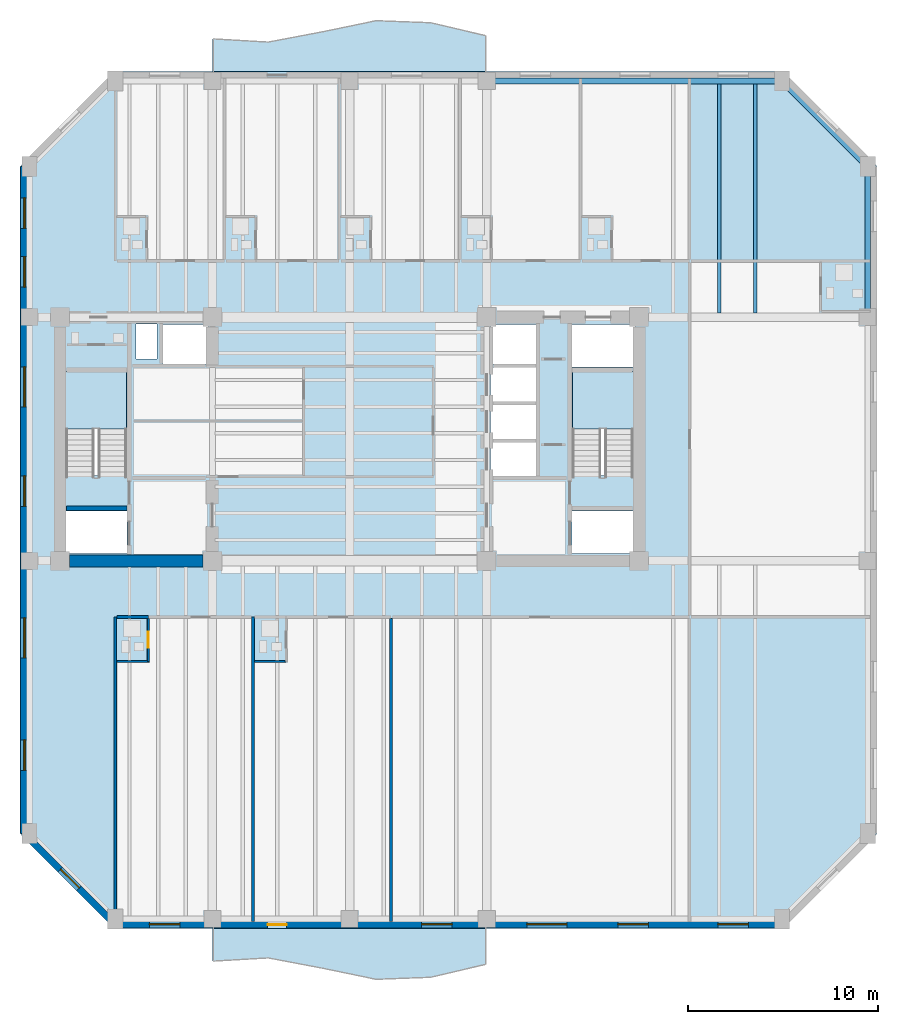
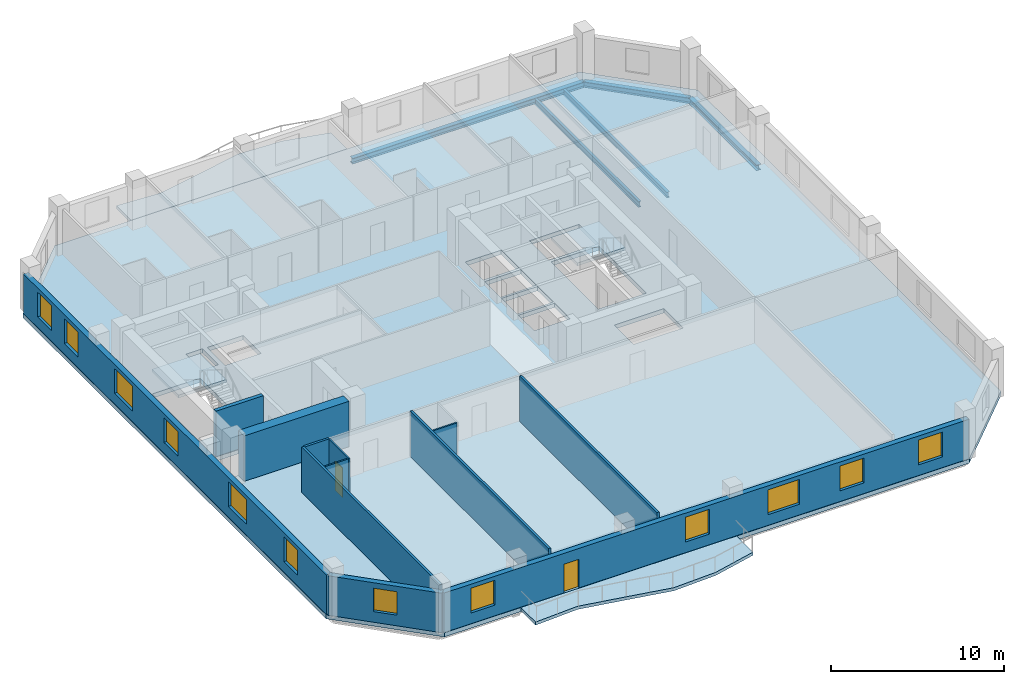
# One storey, part 2 of 10: 12 walls, 12 windows, 5 beams, 5 slabs, 2 doors, 14 openings, 2 elements without a shape of their own.
"""IFC4 building model written with IfcOpenShell, lengths in metres."""

from ifc_helpers import new_model, si_unit, direction, frame, frame_2d, origin, origin_2d, place, context, subcontext, project, spatial, polyline, rectangle, i_section, outline, extrude, material, layer, layer_set, material_profile, profile_set, type_object, element, fill, aggregate, save


model = new_model("IFC4")

# Units and contexts
model_context = context("Model", 3, precision=1e-05, world=origin(), true_north=direction((0.0, 1.0)))
body_context = subcontext(model_context, "Body", "Model", "MODEL_VIEW")
ifc_project = project(units=[si_unit("LENGTHUNIT", "METRE"), si_unit("AREAUNIT", "SQUARE_METRE"), si_unit("VOLUMEUNIT", "CUBIC_METRE"), si_unit("PLANEANGLEUNIT", "RADIAN"), si_unit("MASSUNIT", "GRAM", prefix="KILO")], contexts=[model_context])

# Site, building, storey
site_placement = place(None, origin())
site = spatial("IfcSite", under=ifc_project, at=site_placement, CompositionType="ELEMENT")
building_placement = place(site_placement, origin())
building = spatial("IfcBuilding", under=site, at=building_placement, Name="Kranthara Brick Stack", CompositionType="ELEMENT")
storey_placement = place(building_placement, frame((0.0, 0.0, 144.800048828125)))
storey = spatial("IfcBuildingStorey", under=building, at=storey_placement, Name="L36", CompositionType="ELEMENT", Elevation=144.800048828125)

# Beams
ifc_material_1 = material(Name="Steel S355", Category="steel")
ifc_material_profile_1 = material_profile(ifc_material_1, i_section(OverallWidth=0.179931640625, OverallDepth=0.39990234375, WebThickness=0.008544921875, FlangeThickness=0.013427734375, at=origin_2d()), Name="IPE 400")
ifc_profile_set_1 = profile_set([ifc_material_profile_1], Name="Steel S355")
beam_type_1 = type_object("IfcBeamType", Name="BM-JST-IPE400", PredefinedType="JOIST", material=ifc_profile_set_1)
for number, where, z_axis, x_axis, name in (
    (1, (47.39990234375, 33.824951171875, -0.5), (0.0, 1.0, 0.0), (-1.0, 0.0, 0.0), "L36 North Wing Floor Joist 073"),
    (2, (49.300048828125, 33.824951171875, -0.5), (0.0, 1.0, 0.0), (-1.0, 0.0, 0.0), "L36 North Wing Floor Joist 075"),
):
    element("IfcBeam", number, at=place(storey_placement, frame(where, z_axis=z_axis, x_axis=x_axis)), inside=storey, type_object=beam_type_1, Name=name, PredefinedType="JOIST", context=body_context, shape_type="SweptSolid", body=[
        extrude(i_section(OverallWidth=0.179931640625, OverallDepth=0.39990234375, WebThickness=0.008544921875, FlangeThickness=0.013427734375, at=origin_2d()), origin(), (0.0, 0.0, 1.0), 12.025146484375),
    ])
ifc_material_2 = material(Name="Steel S355", Category="steel")
ifc_material_profile_2 = material_profile(ifc_material_2, i_section(OverallWidth=0.300048828125, OverallDepth=0.39990234375, WebThickness=0.013427734375, FlangeThickness=0.02392578125, at=origin_2d()), Name="HEB 400")
ifc_profile_set_2 = profile_set([ifc_material_profile_2], Name="Steel S355")
beam_type_2 = type_object("IfcBeamType", Name="BM-STL-HEB400", PredefinedType="SPANDREL", material=ifc_profile_set_2)
beam_1_placement = place(storey_placement, frame((35.199951171875, 46.0, -0.5), z_axis=(1.0, 0.0, 0.0), x_axis=(0.0, 1.0, 0.0)))
element("IfcBeam", 3, at=beam_1_placement, inside=storey, type_object=beam_type_2, Name="L36 Perimeter Spandrel Beam 012", PredefinedType="SPANDREL", context=body_context, shape_type="SweptSolid", body=[
    extrude(i_section(OverallWidth=0.300048828125, OverallDepth=0.39990234375, WebThickness=0.013427734375, FlangeThickness=0.02392578125, at=origin_2d()), origin(), (0.0, 0.0, 1.0), 15.5),
])
beam_2_placement = place(storey_placement, frame((55.199951171875, 33.60009765625, -0.5), z_axis=(0.0, 1.0, 0.0), x_axis=(-1.0, 0.0, 0.0)))
element("IfcBeam", 4, at=beam_2_placement, inside=storey, type_object=beam_type_2, Name="L36 Perimeter Spandrel Beam 018", PredefinedType="SPANDREL", context=body_context, shape_type="SweptSolid", body=[
    extrude(i_section(OverallWidth=0.300048828125, OverallDepth=0.39990234375, WebThickness=0.013427734375, FlangeThickness=0.02392578125, at=origin_2d()), origin(), (0.0, 0.0, 1.0), 7.89990234375),
])
beam_3_placement = place(storey_placement, frame((50.699951171875, 46.0, -0.5), z_axis=(0.707106781187, -0.707106781187, 0.0), x_axis=(0.707106781187, 0.707106781187, 0.0)))
element("IfcBeam", 5, at=beam_3_placement, inside=storey, type_object=beam_type_2, Name="L36 Chamfer Corner Spandrel 022", PredefinedType="SPANDREL", context=body_context, shape_type="SweptSolid", body=[
    extrude(i_section(OverallWidth=0.300048828125, OverallDepth=0.39990234375, WebThickness=0.013427734375, FlangeThickness=0.02392578125, at=origin_2d()), origin(), (0.0, 0.0, 1.0), 6.364013671875),
])

# Slabs
ifc_material_3 = material(Name="Concrete C45/55", Category="concrete")
ifc_layer_1 = layer(ifc_material_3, 0.219970703125)
ifc_layer_set_1 = layer_set([ifc_layer_1], Name="Concrete C45/55")
slab_type_1 = type_object("IfcSlabType", Name="SLB-BALC-220", PredefinedType="FLOOR", material=ifc_layer_set_1)
slab_1_placement = place(storey_placement, frame((0.0, 0.0, -0.219970703125)))
element("IfcSlab", 6, at=slab_1_placement, inside=storey, type_object=slab_type_1, Name="L36 South Rippling Balcony Slab", PredefinedType="FLOOR", context=body_context, shape_type="SweptSolid", body=[
    extrude(outline(polyline([(20.800048828125, 1.5), (35.199951171875, 1.5), (35.199951171875, -0.38037109375), (32.320068359375, -1.068115234375), (29.43994140625, -1.19873046875), (26.56005859375, -0.607666015625), (23.679931640625, -0.03857421875), (20.800048828125, -0.206787109375), (20.800048828125, 1.5)])), origin(), (0.0, 0.0, 1.0), 0.219970703125),
])
slab_2_placement = place(storey_placement, frame((0.0, 0.0, -0.219970703125)))
element("IfcSlab", 7, at=slab_2_placement, inside=storey, type_object=slab_type_1, Name="L36 North Rippling Balcony Slab", PredefinedType="FLOOR", context=body_context, shape_type="SweptSolid", body=[
    extrude(outline(polyline([(35.199951171875, 46.5), (20.800048828125, 46.5), (20.800048828125, 48.206787109375), (23.679931640625, 48.03857421875), (26.56005859375, 48.607666015625), (29.43994140625, 49.19873046875), (32.320068359375, 49.068115234375), (35.199951171875, 48.38037109375), (35.199951171875, 46.5)])), origin(), (0.0, 0.0, 1.0), 0.219970703125),
])

# Stair, slab
ifc_material_4 = material(Name="Concrete C45/55", Category="concrete")
stair_type = type_object("IfcStairType", Name="ST-CORE-20R", PredefinedType="HALF_TURN_STAIR", material=ifc_material_4)
stair_1_placement = place(storey_placement, origin())
stair_1 = element("IfcStair", 8, at=stair_1_placement, inside=storey, type_object=stair_type, Name="L36 West Core Protected Exit Stair ST01", PredefinedType="HALF_TURN_STAIR")
ifc_material_5 = material(Name="Concrete C45/55", Category="concrete")
ifc_layer_2 = layer(ifc_material_5, 0.199951171875)
ifc_layer_set_2 = layer_set([ifc_layer_2], Name="Concrete C45/55")
slab_type_2 = type_object("IfcSlabType", Name="SLB-LANDING-200", PredefinedType="LANDING", material=ifc_layer_set_2)
slab_3_placement = place(storey_placement, frame((0.0, 0.0, 1.550048828125)))
slab_3 = element("IfcSlab", 9, at=slab_3_placement, type_object=slab_type_2, Name="ST01 landing 1", PredefinedType="LANDING", context=body_context, shape_type="SweptSolid", body=[
    extrude(outline(polyline([(16.300048828125, 27.719970703125), (16.300048828125, 30.75), (13.10009765625, 30.75), (13.10009765625, 27.719970703125), (16.300048828125, 27.719970703125)])), origin(), (0.0, 0.0, 1.0), 0.199951171875),
])
aggregate(stair_1, [slab_3])

stair_2_placement = place(storey_placement, origin())
stair_2 = element("IfcStair", 10, at=stair_2_placement, inside=storey, type_object=stair_type, Name="L36 East Core Protected Exit Stair ST02", PredefinedType="HALF_TURN_STAIR")
slab_4_placement = place(storey_placement, frame((0.0, 0.0, 1.550048828125)))
slab_4 = element("IfcSlab", 11, at=slab_4_placement, type_object=slab_type_2, Name="ST02 landing 1", PredefinedType="LANDING", context=body_context, shape_type="SweptSolid", body=[
    extrude(outline(polyline([(42.89990234375, 27.719970703125), (42.89990234375, 30.75), (39.699951171875, 30.75), (39.699951171875, 27.719970703125), (42.89990234375, 27.719970703125)])), origin(), (0.0, 0.0, 1.0), 0.199951171875),
])
aggregate(stair_2, [slab_4])

# Slab
ifc_material_6 = material(Name="Post-tensioned concrete C45/55", Category="concrete")
ifc_layer_3 = layer(ifc_material_6, 0.300048828125)
ifc_layer_set_3 = layer_set([ifc_layer_3], Name="Post-tensioned concrete C45/55")
slab_type_3 = type_object("IfcSlabType", Name="SLB-TWR-300", PredefinedType="FLOOR", material=ifc_layer_set_3)
slab_5_placement = place(storey_placement, frame((0.0, 0.0, -0.300048828125)))
element("IfcSlab", 12, at=slab_5_placement, inside=storey, type_object=slab_type_3, Name="L36 Structural Floor Plate", PredefinedType="FLOOR", context=body_context, shape_type="SweptSolid", body=[
    extrude(outline(polyline([(15.699951171875, 1.5), (50.699951171875, 1.5), (55.699951171875, 6.5), (55.699951171875, 41.5), (50.699951171875, 46.5), (15.699951171875, 46.5), (10.699951171875, 41.5), (10.699951171875, 6.5), (15.699951171875, 1.5)]), holes=[polyline([(13.10009765625, 25.280029296875), (16.300048828125, 25.280029296875), (16.300048828125, 30.75), (13.10009765625, 30.75), (13.10009765625, 25.280029296875)]), polyline([(39.699951171875, 25.280029296875), (42.89990234375, 25.280029296875), (42.89990234375, 30.75), (39.699951171875, 30.75), (39.699951171875, 25.280029296875)]), polyline([(13.0, 21.179931640625), (16.320068359375, 21.179931640625), (16.320068359375, 23.419921875), (13.0, 23.419921875), (13.0, 21.179931640625)]), polyline([(39.679931640625, 21.179931640625), (43.0, 21.179931640625), (43.0, 23.419921875), (39.679931640625, 23.419921875), (39.679931640625, 21.179931640625)]), polyline([(39.679931640625, 30.97998046875), (43.0, 30.97998046875), (43.0, 33.219970703125), (39.679931640625, 33.219970703125), (39.679931640625, 30.97998046875)]), polyline([(35.39990234375, 25.25), (37.800048828125, 25.25), (37.800048828125, 27.050048828125), (35.39990234375, 27.050048828125), (35.39990234375, 25.25)]), polyline([(35.39990234375, 27.199951171875), (37.800048828125, 27.199951171875), (37.800048828125, 29.0), (35.39990234375, 29.0), (35.39990234375, 27.199951171875)]), polyline([(35.39990234375, 29.14990234375), (37.800048828125, 29.14990234375), (37.800048828125, 30.949951171875), (35.39990234375, 30.949951171875), (35.39990234375, 29.14990234375)]), polyline([(18.199951171875, 31.14990234375), (20.60009765625, 31.14990234375), (20.60009765625, 33.219970703125), (18.199951171875, 33.219970703125), (18.199951171875, 31.14990234375)]), polyline([(35.39990234375, 31.14990234375), (37.800048828125, 31.14990234375), (37.800048828125, 33.219970703125), (35.39990234375, 33.219970703125), (35.39990234375, 31.14990234375)]), polyline([(16.800048828125, 31.39990234375), (17.89990234375, 31.39990234375), (17.89990234375, 33.25), (16.800048828125, 33.25), (16.800048828125, 31.39990234375)])]), origin(), (0.0, 0.0, 1.0), 0.300048828125),
])

# Wall, openings, door, windows
ifc_material_7 = material(Name="Kiln-fired clay brick masonry M15", Category="masonry")
ifc_layer_4 = layer(ifc_material_7, 0.35009765625)
ifc_layer_set_4 = layer_set([ifc_layer_4], Name="Kiln-fired clay brick masonry M15")
wall_type_1 = type_object("IfcWallType", Name="WL-BRK-SPND-350", PredefinedType="STANDARD", material=ifc_layer_set_4)
wall_1_placement = place(storey_placement, frame((50.699951171875, 1.695068359375, 0.0), z_axis=(0.0, 0.0, 1.0), x_axis=(-1.0, 0.0, 0.0)))
wall_1 = element("IfcWall", 13, at=wall_1_placement, inside=storey, type_object=wall_type_1, Name="L36 Exterior Brick Facade Wall SOUTH 1", PredefinedType="STANDARD", context=body_context, shape_type="SweptSolid", body=[
    extrude(rectangle(XDim=35.0, YDim=0.35009765625, at=frame_2d((17.5, 0.0))), origin(), (0.0, 0.0, 1.0), 2.784912109375),
])
opening_1_placement = place(wall_1_placement, frame((26.0, 0.0, 0.0)))
opening_1 = element("IfcOpeningElement", 14, at=opening_1_placement, cuts=wall_1, Name="Opening D03", PredefinedType="OPENING", context=body_context, shape_type="SweptSolid", body=[
    extrude(rectangle(XDim=1.0, YDim=2.02001953125, at=frame_2d((0.5, 1.010009765625))), frame((0.0, 0.18505859375, 0.0), z_axis=(0.0, -1.0, 0.0), x_axis=(1.0, 0.0, 0.0)), (0.0, 0.0, 1.0), 0.3701171875),
])
opening_2_placement = place(wall_1_placement, frame((1.762939453125, 0.0, 0.75)))
opening_2 = element("IfcOpeningElement", 15, at=opening_2_placement, cuts=wall_1, Name="Opening WN04", PredefinedType="OPENING", context=body_context, shape_type="SweptSolid", body=[
    extrude(rectangle(XDim=1.60009765625, YDim=1.75, at=frame_2d((0.800048828125, 0.875))), frame((0.0, 0.18505859375, 0.0), z_axis=(0.0, -1.0, 0.0), x_axis=(1.0, 0.0, 0.0)), (0.0, 0.0, 1.0), 0.3701171875),
])
opening_3_placement = place(wall_1_placement, frame((7.007080078125, 0.0, 0.75)))
opening_3 = element("IfcOpeningElement", 16, at=opening_3_placement, cuts=wall_1, Name="Opening WN04", PredefinedType="OPENING", context=body_context, shape_type="SweptSolid", body=[
    extrude(rectangle(XDim=1.60009765625, YDim=1.75, at=frame_2d((0.800048828125, 0.875))), frame((0.0, 0.18505859375, 0.0), z_axis=(0.0, -1.0, 0.0), x_axis=(1.0, 0.0, 0.0)), (0.0, 0.0, 1.0), 0.3701171875),
])
opening_4_placement = place(wall_1_placement, frame((11.29296875, 0.0, 0.75)))
opening_4 = element("IfcOpeningElement", 17, at=opening_4_placement, cuts=wall_1, Name="Opening WN05", PredefinedType="OPENING", context=body_context, shape_type="SweptSolid", body=[
    extrude(rectangle(XDim=2.10009765625, YDim=1.75, at=frame_2d((1.050048828125, 0.875))), frame((0.0, 0.18505859375, 0.0), z_axis=(0.0, -1.0, 0.0), x_axis=(1.0, 0.0, 0.0)), (0.0, 0.0, 1.0), 0.3701171875),
])
opening_5_placement = place(wall_1_placement, frame((17.31396484375, 0.0, 0.75)))
opening_5 = element("IfcOpeningElement", 18, at=opening_5_placement, cuts=wall_1, Name="Opening WN04", PredefinedType="OPENING", context=body_context, shape_type="SweptSolid", body=[
    extrude(rectangle(XDim=1.60009765625, YDim=1.75, at=frame_2d((0.800048828125, 0.875))), frame((0.0, 0.18505859375, 0.0), z_axis=(0.0, -1.0, 0.0), x_axis=(1.0, 0.0, 0.0)), (0.0, 0.0, 1.0), 0.3701171875),
])
opening_6_placement = place(wall_1_placement, frame((31.613037109375, 0.0, 0.75)))
opening_6 = element("IfcOpeningElement", 19, at=opening_6_placement, cuts=wall_1, Name="Opening WN04", PredefinedType="OPENING", context=body_context, shape_type="SweptSolid", body=[
    extrude(rectangle(XDim=1.60009765625, YDim=1.75, at=frame_2d((0.800048828125, 0.875))), frame((0.0, 0.18505859375, 0.0), z_axis=(0.0, -1.0, 0.0), x_axis=(1.0, 0.0, 0.0)), (0.0, 0.0, 1.0), 0.3701171875),
])
ifc_material_8 = material(Name="Bronze anodised aluminium and laminated glass", Category="aluminium")
door_type_1 = type_object("IfcDoorType", Name="DR-BALC-1000", OperationType="NOTDEFINED", PredefinedType="DOOR", material=ifc_material_8)
door_1_placement = place(opening_1_placement, origin())
door_1 = element("IfcDoor", 20, at=door_1_placement, inside=storey, type_object=door_type_1, Name="L36 South Balcony Terrace Door", OperationType="SINGLE_SWING_LEFT", OverallHeight=2.02001953125, OverallWidth=1.0, PredefinedType="DOOR", context=body_context, shape_type="SweptSolid", body=[
    extrude(rectangle(XDim=1.0, YDim=2.02001953125, at=frame_2d((0.5, 1.010009765625))), frame((0.0, 0.02490234375, 0.0), z_axis=(0.0, -1.0, 0.0), x_axis=(1.0, 0.0, 0.0)), (0.0, 0.0, 1.0), 0.050048828125),
])
fill(opening_1, door_1)
ifc_material_9 = material(Name="Double-glazed low-E solar control glass", Category="glass")
window_type_1 = type_object("IfcWindowType", Name="WN-HTL-1600x1850", PartitioningType="DOUBLE_PANEL_VERTICAL", PredefinedType="WINDOW", material=ifc_material_9)
window_1_placement = place(opening_2_placement, origin())
window_1 = element("IfcWindow", 21, at=window_1_placement, inside=storey, type_object=window_type_1, Name="L36 South Deep-Set Brick Window 01", OverallHeight=1.75, OverallWidth=1.60009765625, PartitioningType="SINGLE_PANEL", PredefinedType="WINDOW", context=body_context, shape_type="SweptSolid", body=[
    extrude(rectangle(XDim=1.60009765625, YDim=1.75, at=frame_2d((0.800048828125, 0.875))), frame((0.0, -0.010009765625, 0.0), z_axis=(0.0, -1.0, 0.0), x_axis=(1.0, 0.0, 0.0)), (0.0, 0.0, 1.0), 0.06005859375),
])
fill(opening_2, window_1)
window_2_placement = place(opening_3_placement, origin())
window_2 = element("IfcWindow", 22, at=window_2_placement, inside=storey, type_object=window_type_1, Name="L36 South Deep-Set Brick Window 02", OverallHeight=1.75, OverallWidth=1.60009765625, PartitioningType="SINGLE_PANEL", PredefinedType="WINDOW", context=body_context, shape_type="SweptSolid", body=[
    extrude(rectangle(XDim=1.60009765625, YDim=1.75, at=frame_2d((0.800048828125, 0.875))), frame((0.0, -0.010009765625, 0.0), z_axis=(0.0, -1.0, 0.0), x_axis=(1.0, 0.0, 0.0)), (0.0, 0.0, 1.0), 0.06005859375),
])
fill(opening_3, window_2)
window_3_placement = place(opening_5_placement, origin())
window_3 = element("IfcWindow", 23, at=window_3_placement, inside=storey, type_object=window_type_1, Name="L36 South Deep-Set Brick Window 04", OverallHeight=1.75, OverallWidth=1.60009765625, PartitioningType="SINGLE_PANEL", PredefinedType="WINDOW", context=body_context, shape_type="SweptSolid", body=[
    extrude(rectangle(XDim=1.60009765625, YDim=1.75, at=frame_2d((0.800048828125, 0.875))), frame((0.0, -0.010009765625, 0.0), z_axis=(0.0, -1.0, 0.0), x_axis=(1.0, 0.0, 0.0)), (0.0, 0.0, 1.0), 0.06005859375),
])
fill(opening_5, window_3)
window_4_placement = place(opening_6_placement, origin())
window_4 = element("IfcWindow", 24, at=window_4_placement, inside=storey, type_object=window_type_1, Name="L36 South Deep-Set Brick Window 05", OverallHeight=1.75, OverallWidth=1.60009765625, PartitioningType="SINGLE_PANEL", PredefinedType="WINDOW", context=body_context, shape_type="SweptSolid", body=[
    extrude(rectangle(XDim=1.60009765625, YDim=1.75, at=frame_2d((0.800048828125, 0.875))), frame((0.0, -0.010009765625, 0.0), z_axis=(0.0, -1.0, 0.0), x_axis=(1.0, 0.0, 0.0)), (0.0, 0.0, 1.0), 0.06005859375),
])
fill(opening_6, window_4)
ifc_material_10 = material(Name="Double-glazed low-E solar control glass", Category="glass")
window_type_2 = type_object("IfcWindowType", Name="WN-HTL-2100x1850", PartitioningType="DOUBLE_PANEL_VERTICAL", PredefinedType="WINDOW", material=ifc_material_10)
window_5_placement = place(opening_4_placement, origin())
window_5 = element("IfcWindow", 25, at=window_5_placement, inside=storey, type_object=window_type_2, Name="L36 South Deep-Set Brick Window 03", OverallHeight=1.75, OverallWidth=2.10009765625, PartitioningType="SINGLE_PANEL", PredefinedType="WINDOW", context=body_context, shape_type="SweptSolid", body=[
    extrude(rectangle(XDim=2.10009765625, YDim=1.75, at=frame_2d((1.050048828125, 0.875))), frame((0.0, -0.010009765625, 0.0), z_axis=(0.0, -1.0, 0.0), x_axis=(1.0, 0.0, 0.0)), (0.0, 0.0, 1.0), 0.06005859375),
])
fill(opening_4, window_5)

# Wall, opening, window
wall_2_placement = place(storey_placement, frame((15.699951171875, 1.695068359375, 0.0), z_axis=(0.0, 0.0, 1.0), x_axis=(-0.707106781187, 0.707106781187, 0.0)))
wall_2 = element("IfcWall", 26, at=wall_2_placement, inside=storey, type_object=wall_type_1, Name="L36 Exterior Brick Facade Wall SW 1", PredefinedType="STANDARD", context=body_context, shape_type="SweptSolid", body=[
    extrude(rectangle(XDim=6.795166015625, YDim=0.35009765625, at=frame_2d((3.3974609375, 0.0))), origin(), (0.0, 0.0, 1.0), 2.784912109375),
])
opening_7_placement = place(wall_2_placement, frame((2.697998046875, 0.0, 0.75)))
opening_7 = element("IfcOpeningElement", 27, at=opening_7_placement, cuts=wall_2, Name="Opening WN10", PredefinedType="OPENING", context=body_context, shape_type="SweptSolid", body=[
    extrude(rectangle(XDim=1.39990234375, YDim=1.64990234375, at=frame_2d((0.699951171875, 0.824951171875))), frame((0.0, 0.18505859375, 0.0), z_axis=(0.0, -1.0, 0.0), x_axis=(1.0, 0.0, 0.0)), (0.0, 0.0, 1.0), 0.3701171875),
])
ifc_material_11 = material(Name="Double-glazed low-E solar control glass", Category="glass")
window_type_3 = type_object("IfcWindowType", Name="WN-CHM-1400x1750", PartitioningType="SINGLE_PANEL", PredefinedType="WINDOW", material=ifc_material_11)
window_6_placement = place(opening_7_placement, origin())
window_6 = element("IfcWindow", 28, at=window_6_placement, inside=storey, type_object=window_type_3, Name="L36 SW Chamfer Corner Window", OverallHeight=1.64990234375, OverallWidth=1.39990234375, PartitioningType="SINGLE_PANEL", PredefinedType="WINDOW", context=body_context, shape_type="SweptSolid", body=[
    extrude(rectangle(XDim=1.39990234375, YDim=1.64990234375, at=frame_2d((0.699951171875, 0.824951171875))), frame((0.0, -0.010009765625, 0.0), z_axis=(0.0, -1.0, 0.0), x_axis=(1.0, 0.0, 0.0)), (0.0, 0.0, 1.0), 0.06005859375),
])
fill(opening_7, window_6)

# Wall, openings, windows
wall_3_placement = place(storey_placement, frame((10.89501953125, 6.5, 0.0), z_axis=(0.0, 0.0, 1.0), x_axis=(0.0, 1.0, 0.0)))
wall_3 = element("IfcWall", 29, at=wall_3_placement, inside=storey, type_object=wall_type_1, Name="L36 Exterior Brick Facade Wall WEST 1", PredefinedType="STANDARD", context=body_context, shape_type="SweptSolid", body=[
    extrude(rectangle(XDim=35.0, YDim=0.35009765625, at=frame_2d((17.5, 0.0))), origin(), (0.0, 0.0, 1.0), 2.784912109375),
])
opening_8_placement = place(wall_3_placement, frame((3.31005859375, 0.0, 0.75)))
opening_8 = element("IfcOpeningElement", 30, at=opening_8_placement, cuts=wall_3, Name="Opening WN04", PredefinedType="OPENING", context=body_context, shape_type="SweptSolid", body=[
    extrude(rectangle(XDim=1.60009765625, YDim=1.75, at=frame_2d((0.800048828125, 0.875))), frame((0.0, 0.18505859375, 0.0), z_axis=(0.0, -1.0, 0.0), x_axis=(1.0, 0.0, 0.0)), (0.0, 0.0, 1.0), 0.3701171875),
])
opening_9_placement = place(wall_3_placement, frame((9.216064453125, 0.0, 0.75)))
opening_9 = element("IfcOpeningElement", 31, at=opening_9_placement, cuts=wall_3, Name="Opening WN05", PredefinedType="OPENING", context=body_context, shape_type="SweptSolid", body=[
    extrude(rectangle(XDim=2.10009765625, YDim=1.75, at=frame_2d((1.050048828125, 0.875))), frame((0.0, 0.18505859375, 0.0), z_axis=(0.0, -1.0, 0.0), x_axis=(1.0, 0.0, 0.0)), (0.0, 0.0, 1.0), 0.3701171875),
])
opening_10_placement = place(wall_3_placement, frame((17.1640625, 0.0, 0.75)))
opening_10 = element("IfcOpeningElement", 32, at=opening_10_placement, cuts=wall_3, Name="Opening WN04", PredefinedType="OPENING", context=body_context, shape_type="SweptSolid", body=[
    extrude(rectangle(XDim=1.60009765625, YDim=1.75, at=frame_2d((0.800048828125, 0.875))), frame((0.0, 0.18505859375, 0.0), z_axis=(0.0, -1.0, 0.0), x_axis=(1.0, 0.0, 0.0)), (0.0, 0.0, 1.0), 0.3701171875),
])
opening_11_placement = place(wall_3_placement, frame((22.385986328125, 0.0, 0.75)))
opening_11 = element("IfcOpeningElement", 33, at=opening_11_placement, cuts=wall_3, Name="Opening WN05", PredefinedType="OPENING", context=body_context, shape_type="SweptSolid", body=[
    extrude(rectangle(XDim=2.10009765625, YDim=1.75, at=frame_2d((1.050048828125, 0.875))), frame((0.0, 0.18505859375, 0.0), z_axis=(0.0, -1.0, 0.0), x_axis=(1.0, 0.0, 0.0)), (0.0, 0.0, 1.0), 0.3701171875),
])
opening_12_placement = place(wall_3_placement, frame((28.6708984375, 0.0, 0.75)))
opening_12 = element("IfcOpeningElement", 34, at=opening_12_placement, cuts=wall_3, Name="Opening WN04", PredefinedType="OPENING", context=body_context, shape_type="SweptSolid", body=[
    extrude(rectangle(XDim=1.60009765625, YDim=1.75, at=frame_2d((0.800048828125, 0.875))), frame((0.0, 0.18505859375, 0.0), z_axis=(0.0, -1.0, 0.0), x_axis=(1.0, 0.0, 0.0)), (0.0, 0.0, 1.0), 0.3701171875),
])
opening_13_placement = place(wall_3_placement, frame((31.7548828125, 0.0, 0.75)))
opening_13 = element("IfcOpeningElement", 35, at=opening_13_placement, cuts=wall_3, Name="Opening WN04", PredefinedType="OPENING", context=body_context, shape_type="SweptSolid", body=[
    extrude(rectangle(XDim=1.60009765625, YDim=1.75, at=frame_2d((0.800048828125, 0.875))), frame((0.0, 0.18505859375, 0.0), z_axis=(0.0, -1.0, 0.0), x_axis=(1.0, 0.0, 0.0)), (0.0, 0.0, 1.0), 0.3701171875),
])
window_7_placement = place(opening_8_placement, origin())
window_7 = element("IfcWindow", 36, at=window_7_placement, inside=storey, type_object=window_type_1, Name="L36 West Deep-Set Brick Window 01", OverallHeight=1.75, OverallWidth=1.60009765625, PartitioningType="SINGLE_PANEL", PredefinedType="WINDOW", context=body_context, shape_type="SweptSolid", body=[
    extrude(rectangle(XDim=1.60009765625, YDim=1.75, at=frame_2d((0.800048828125, 0.875))), frame((0.0, -0.010009765625, 0.0), z_axis=(0.0, -1.0, 0.0), x_axis=(1.0, 0.0, 0.0)), (0.0, 0.0, 1.0), 0.06005859375),
])
fill(opening_8, window_7)
window_8_placement = place(opening_10_placement, origin())
window_8 = element("IfcWindow", 37, at=window_8_placement, inside=storey, type_object=window_type_1, Name="L36 West Deep-Set Brick Window 03", OverallHeight=1.75, OverallWidth=1.60009765625, PartitioningType="SINGLE_PANEL", PredefinedType="WINDOW", context=body_context, shape_type="SweptSolid", body=[
    extrude(rectangle(XDim=1.60009765625, YDim=1.75, at=frame_2d((0.800048828125, 0.875))), frame((0.0, -0.010009765625, 0.0), z_axis=(0.0, -1.0, 0.0), x_axis=(1.0, 0.0, 0.0)), (0.0, 0.0, 1.0), 0.06005859375),
])
fill(opening_10, window_8)
window_9_placement = place(opening_12_placement, origin())
window_9 = element("IfcWindow", 38, at=window_9_placement, inside=storey, type_object=window_type_1, Name="L36 West Deep-Set Brick Window 05", OverallHeight=1.75, OverallWidth=1.60009765625, PartitioningType="SINGLE_PANEL", PredefinedType="WINDOW", context=body_context, shape_type="SweptSolid", body=[
    extrude(rectangle(XDim=1.60009765625, YDim=1.75, at=frame_2d((0.800048828125, 0.875))), frame((0.0, -0.010009765625, 0.0), z_axis=(0.0, -1.0, 0.0), x_axis=(1.0, 0.0, 0.0)), (0.0, 0.0, 1.0), 0.06005859375),
])
fill(opening_12, window_9)
window_10_placement = place(opening_13_placement, origin())
window_10 = element("IfcWindow", 39, at=window_10_placement, inside=storey, type_object=window_type_1, Name="L36 West Deep-Set Brick Window 06", OverallHeight=1.75, OverallWidth=1.60009765625, PartitioningType="SINGLE_PANEL", PredefinedType="WINDOW", context=body_context, shape_type="SweptSolid", body=[
    extrude(rectangle(XDim=1.60009765625, YDim=1.75, at=frame_2d((0.800048828125, 0.875))), frame((0.0, -0.010009765625, 0.0), z_axis=(0.0, -1.0, 0.0), x_axis=(1.0, 0.0, 0.0)), (0.0, 0.0, 1.0), 0.06005859375),
])
fill(opening_13, window_10)
window_11_placement = place(opening_9_placement, origin())
window_11 = element("IfcWindow", 40, at=window_11_placement, inside=storey, type_object=window_type_2, Name="L36 West Deep-Set Brick Window 02", OverallHeight=1.75, OverallWidth=2.10009765625, PartitioningType="SINGLE_PANEL", PredefinedType="WINDOW", context=body_context, shape_type="SweptSolid", body=[
    extrude(rectangle(XDim=2.10009765625, YDim=1.75, at=frame_2d((1.050048828125, 0.875))), frame((0.0, -0.010009765625, 0.0), z_axis=(0.0, -1.0, 0.0), x_axis=(1.0, 0.0, 0.0)), (0.0, 0.0, 1.0), 0.06005859375),
])
fill(opening_9, window_11)
window_12_placement = place(opening_11_placement, origin())
window_12 = element("IfcWindow", 41, at=window_12_placement, inside=storey, type_object=window_type_2, Name="L36 West Deep-Set Brick Window 04", OverallHeight=1.75, OverallWidth=2.10009765625, PartitioningType="SINGLE_PANEL", PredefinedType="WINDOW", context=body_context, shape_type="SweptSolid", body=[
    extrude(rectangle(XDim=2.10009765625, YDim=1.75, at=frame_2d((1.050048828125, 0.875))), frame((0.0, -0.010009765625, 0.0), z_axis=(0.0, -1.0, 0.0), x_axis=(1.0, 0.0, 0.0)), (0.0, 0.0, 1.0), 0.06005859375),
])
fill(opening_11, window_12)

# Walls
ifc_material_12 = material(Name="Concrete C50/60", Category="concrete")
ifc_layer_5 = layer(ifc_material_12, 0.25)
ifc_layer_set_5 = layer_set([ifc_layer_5], Name="Concrete C50/60")
wall_type_2 = type_object("IfcWallType", Name="WL-CORE-250", PredefinedType="SHEAR", material=ifc_layer_set_5)
wall_4_placement = place(storey_placement, frame((13.135009765625, 23.570068359375, 0.0), z_axis=(0.0, 0.0, 1.0), x_axis=(1.0, 0.0, 0.0)))
element("IfcWall", 42, at=wall_4_placement, inside=storey, type_object=wall_type_2, Name="L36 West Stairwell Bearing Wall WFF", PredefinedType="SHEAR", context=body_context, shape_type="SweptSolid", body=[
    extrude(rectangle(XDim=3.175048828125, YDim=0.25, at=frame_2d((1.58740234375, 0.0))), origin(), (0.0, 0.0, 1.0), 3.199951171875),
])
ifc_material_13 = material(Name="Concrete C60/75", Category="concrete")
ifc_layer_6 = layer(ifc_material_13, 0.64990234375)
ifc_layer_set_6 = layer_set([ifc_layer_6], Name="Concrete C60/75")
wall_type_3 = type_object("IfcWallType", Name="WL-CORE-650", PredefinedType="SHEAR", material=ifc_layer_set_6)
wall_5_placement = place(storey_placement, frame((13.304931640625, 20.800048828125, 0.0), z_axis=(0.0, 0.0, 1.0), x_axis=(1.0, 0.0, 0.0)))
element("IfcWall", 43, at=wall_5_placement, inside=storey, type_object=wall_type_3, Name="L36 West Core Shear Wall South", PredefinedType="SHEAR", context=body_context, shape_type="SweptSolid", body=[
    extrude(rectangle(XDim=6.989990234375, YDim=0.64990234375, at=frame_2d((3.4951171875, 0.0))), origin(), (0.0, 0.0, 1.0), 3.199951171875),
])

# Wall, opening, door
ifc_material_14 = material(Name="Moisture-resistant wet-room partition", Category="other")
ifc_layer_7 = layer(ifc_material_14, 0.10009765625)
ifc_layer_set_7 = layer_set([ifc_layer_7], Name="Moisture-resistant wet-room partition")
wall_type_4 = type_object("IfcWallType", Name="WL-PART-100", PredefinedType="PARTITIONING", material=ifc_layer_set_7)
wall_6_placement = place(storey_placement, frame((17.4365234375, 15.52001953125, 0.0), z_axis=(0.0, 0.0, 1.0), x_axis=(0.0, 1.0, 0.0)))
wall_6 = element("IfcWall", 44, at=wall_6_placement, inside=storey, type_object=wall_type_4, Name="L36 Interior Partition 013", PredefinedType="PARTITIONING", context=body_context, shape_type="SweptSolid", body=[
    extrude(rectangle(XDim=2.25, YDim=0.10009765625, at=frame_2d((1.125, 0.0))), origin(), (0.0, 0.0, 1.0), 3.199951171875),
])
opening_14_placement = place(wall_6_placement, frame((0.719970703125, 0.0, 0.0)))
opening_14 = element("IfcOpeningElement", 45, at=opening_14_placement, cuts=wall_6, Name="Opening D17", PredefinedType="OPENING", context=body_context, shape_type="SweptSolid", body=[
    extrude(rectangle(XDim=0.85009765625, YDim=2.050048828125, at=frame_2d((0.425048828125, 1.02490234375))), frame((0.0, 0.06005859375, 0.0), z_axis=(0.0, -1.0, 0.0), x_axis=(1.0, 0.0, 0.0)), (0.0, 0.0, 1.0), 0.1201171875),
])
ifc_material_15 = material(Name="Solid-core hardwood timber leaf in steel frame", Category="steel")
door_type_2 = type_object("IfcDoorType", Name="DR-WET-850", OperationType="NOTDEFINED", PredefinedType="DOOR", material=ifc_material_15)
door_2_placement = place(opening_14_placement, origin())
door_2 = element("IfcDoor", 46, at=door_2_placement, inside=storey, type_object=door_type_2, Name="L36 Key 01 En-Suite Door 07", OperationType="SINGLE_SWING_LEFT", OverallHeight=2.050048828125, OverallWidth=0.85009765625, PredefinedType="DOOR", context=body_context, shape_type="SweptSolid", body=[
    extrude(rectangle(XDim=0.85009765625, YDim=2.050048828125, at=frame_2d((0.425048828125, 1.02490234375))), frame((0.0, 0.02490234375, 0.0), z_axis=(0.0, -1.0, 0.0), x_axis=(1.0, 0.0, 0.0)), (0.0, 0.0, 1.0), 0.050048828125),
])
fill(opening_14, door_2)

# Walls
for number, where, z_axis, x_axis, name in (
    (47, (15.780029296875, 15.52001953125, 0.0), (0.0, 0.0, 1.0), (1.0, 0.0, 0.0), "L36 Interior Partition 014"),
    (48, (23.01611328125, 15.52001953125, 0.0), (0.0, 0.0, 1.0), (1.0, 0.0, 0.0), "L36 Interior Partition 018"),
):
    element("IfcWall", number, at=place(storey_placement, frame(where, z_axis=z_axis, x_axis=x_axis)), inside=storey, type_object=wall_type_4, Name=name, PredefinedType="PARTITIONING", context=body_context, shape_type="SweptSolid", body=[
        extrude(rectangle(XDim=1.6015625, YDim=0.10009765625, at=frame_2d((0.80078125, 0.0))), origin(), (0.0, 0.0, 1.0), 3.199951171875),
    ])
ifc_material_16 = material(Name="Fire-rated gypsum board partition", Category="other")
ifc_layer_8 = layer(ifc_material_16, 0.14990234375)
ifc_layer_set_8 = layer_set([ifc_layer_8], Name="Fire-rated gypsum board partition")
wall_type_5 = type_object("IfcWallType", Name="WL-PART-150", PredefinedType="PARTITIONING", material=ifc_layer_set_8)
for number, where, z_axis, x_axis, name in (
    (49, (15.699951171875, 1.875, 0.0), (0.0, 0.0, 1.0), (0.0, 1.0, 0.0), "L36 Interior Partition 009"),
    (50, (22.93603515625, 1.875, 0.0), (0.0, 0.0, 1.0), (0.0, 1.0, 0.0), "L36 Interior Partition 010"),
):
    element("IfcWall", number, at=place(storey_placement, frame(where, z_axis=z_axis, x_axis=x_axis)), inside=storey, type_object=wall_type_5, Name=name, PredefinedType="PARTITIONING", context=body_context, shape_type="SweptSolid", body=[
        extrude(rectangle(XDim=15.97509765625, YDim=0.14990234375, at=frame_2d((7.987548828125, 0.0))), origin(), (0.0, 0.0, 1.0), 3.199951171875),
    ])
wall_7_placement = place(storey_placement, frame((15.780029296875, 17.85009765625, 0.0), z_axis=(0.0, 0.0, 1.0), x_axis=(1.0, 0.0, 0.0)))
element("IfcWall", 51, at=wall_7_placement, inside=storey, type_object=wall_type_5, Name="L36 Interior Partition 011", PredefinedType="PARTITIONING", context=body_context, shape_type="SweptSolid", body=[
    extrude(rectangle(XDim=1.656494140625, YDim=0.14990234375, at=frame_2d((0.828125, 0.0))), origin(), (0.0, 0.0, 1.0), 3.199951171875),
])
wall_8_placement = place(storey_placement, frame((30.172119140625, 1.875, 0.0), z_axis=(0.0, 0.0, 1.0), x_axis=(0.0, 1.0, 0.0)))
element("IfcWall", 52, at=wall_8_placement, inside=storey, type_object=wall_type_5, Name="L36 Interior Partition 019", PredefinedType="PARTITIONING", context=body_context, shape_type="SweptSolid", body=[
    extrude(rectangle(XDim=15.89501953125, YDim=0.14990234375, at=frame_2d((7.947509765625, 0.0))), origin(), (0.0, 0.0, 1.0), 3.199951171875),
])

save(model, "model.ifc")
